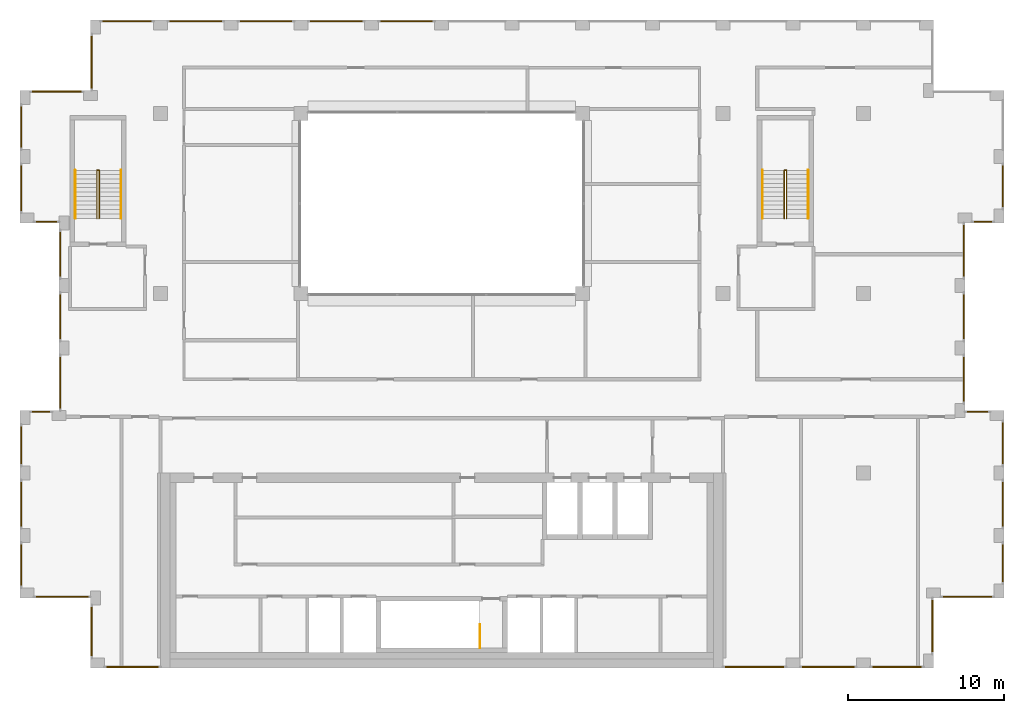
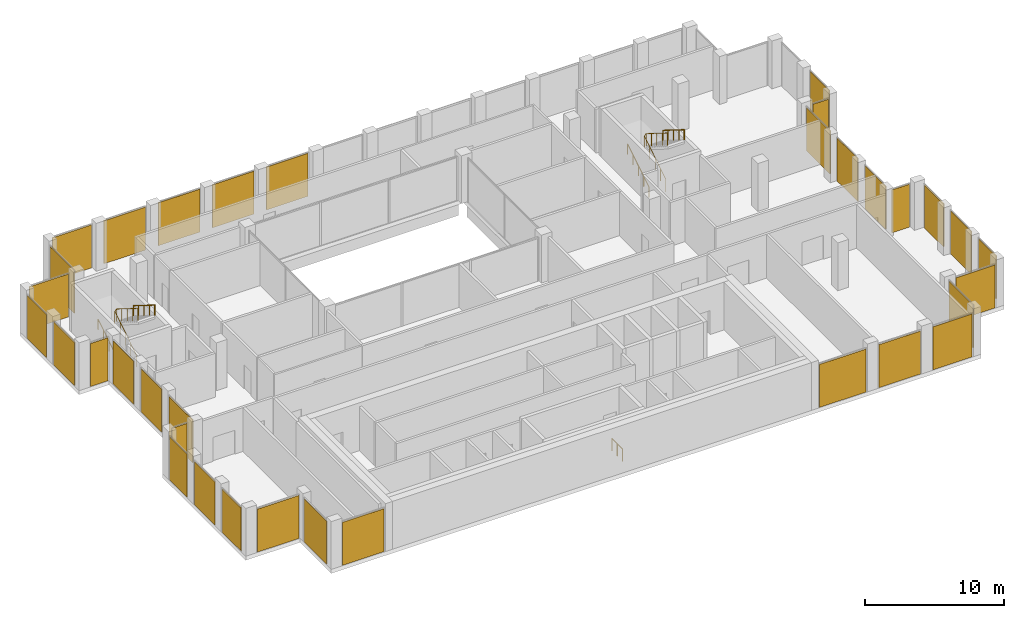
# One storey, part 14 of 15: 34 shading devices, 7 railings, 34 elements without a shape of their own.
"""IFC4 building model written with IfcOpenShell, lengths in metres."""

from ifc_helpers import new_model, si_unit, direction, frame, origin, origin_2d, place, context, subcontext, project, spatial, rectangle, circle, extrude, material, layer, layer_set, type_object, element, aggregate, save


model = new_model("IFC4")

# Units and contexts
model_context = context("Model", 3, precision=1e-05, world=origin(), true_north=direction((0.0, 1.0)))
body_context = subcontext(model_context, "Body", "Model", "MODEL_VIEW")
ifc_project = project(units=[si_unit("LENGTHUNIT", "METRE"), si_unit("AREAUNIT", "SQUARE_METRE"), si_unit("VOLUMEUNIT", "CUBIC_METRE"), si_unit("PLANEANGLEUNIT", "RADIAN"), si_unit("MASSUNIT", "GRAM", prefix="KILO")], contexts=[model_context])

# Site, building, storey
site_placement = place(None, origin())
site = spatial("IfcSite", under=ifc_project, at=site_placement, CompositionType="ELEMENT")
building_placement = place(site_placement, origin())
building = spatial("IfcBuilding", under=site, at=building_placement, Name="Brigalow Station Residences", CompositionType="ELEMENT")
storey_placement = place(building_placement, frame((0.0, 0.0, 240.0)))
storey = spatial("IfcBuildingStorey", under=building, at=storey_placement, Name="L69", CompositionType="ELEMENT", Elevation=240.0)

# Curtain wall, shading device
ifc_material_1 = material(Name="Aluminium", Category="aluminium")
ifc_layer_1 = layer(ifc_material_1, 0.14990234375)
ifc_layer_set_1 = layer_set([ifc_layer_1], Name="CROWN CURTAIN WALL")
curtain_wall_type = type_object("IfcCurtainWallType", Name="CROWN CURTAIN WALL", PredefinedType="NOTDEFINED", material=ifc_layer_set_1)
curtain_wall_1_placement = place(storey_placement, origin())
curtain_wall_1 = element("IfcCurtainWall", 1, at=curtain_wall_1_placement, inside=storey, type_object=curtain_wall_type, Name="L69/cw/crown-W-L69-1-1", PredefinedType="NOTDEFINED")
ifc_material_2 = material(Name="Aluminium louvre blade", Category="aluminium")
ifc_layer_2 = layer(ifc_material_2, 0.074951171875)
ifc_layer_set_2 = layer_set([ifc_layer_2], Name="CROWN LOUVRE BAND 75")
shading_device_type = type_object("IfcShadingDeviceType", Name="CROWN LOUVRE BAND 75", PredefinedType="JALOUSIE", material=ifc_layer_set_2)
shading_device_1_placement = place(storey_placement, frame((16.199951171875, 0.074951171875, 0.0), z_axis=(0.0, 0.0, 1.0), x_axis=(1.0, 0.0, 0.0)))
shading_device_1 = element("IfcShadingDevice", 2, at=shading_device_1_placement, type_object=shading_device_type, Name="LOUVRE BAND crown-W-L69-1-1", PredefinedType="JALOUSIE", context=body_context, shape_type="SweptSolid", body=[
    extrude(rectangle(XDim=3.449951171875, YDim=0.074951171875, at=origin_2d()), origin(), (0.0, 0.0, 1.0), 3.77490234375),
])
aggregate(curtain_wall_1, [shading_device_1])

curtain_wall_2_placement = place(storey_placement, origin())
curtain_wall_2 = element("IfcCurtainWall", 3, at=curtain_wall_2_placement, inside=storey, type_object=curtain_wall_type, Name="L69/cw/crown-W-L69-3-2", PredefinedType="NOTDEFINED")
shading_device_2_placement = place(storey_placement, frame((56.02490234375, 0.074951171875, 0.0), z_axis=(0.0, 0.0, 1.0), x_axis=(1.0, 0.0, 0.0)))
shading_device_2 = element("IfcShadingDevice", 4, at=shading_device_2_placement, type_object=shading_device_type, Name="LOUVRE BAND crown-W-L69-3-2", PredefinedType="JALOUSIE", context=body_context, shape_type="SweptSolid", body=[
    extrude(rectangle(XDim=3.89990234375, YDim=0.074951171875, at=origin_2d()), origin(), (0.0, 0.0, 1.0), 3.77490234375),
])
aggregate(curtain_wall_2, [shading_device_2])

curtain_wall_3_placement = place(storey_placement, origin())
curtain_wall_3 = element("IfcCurtainWall", 5, at=curtain_wall_3_placement, inside=storey, type_object=curtain_wall_type, Name="L69/cw/crown-W-L69-3-3", PredefinedType="NOTDEFINED")
shading_device_3_placement = place(storey_placement, frame((60.75, 0.074951171875, 0.0), z_axis=(0.0, 0.0, 1.0), x_axis=(1.0, 0.0, 0.0)))
shading_device_3 = element("IfcShadingDevice", 6, at=shading_device_3_placement, type_object=shading_device_type, Name="LOUVRE BAND crown-W-L69-3-3", PredefinedType="JALOUSIE", context=body_context, shape_type="SweptSolid", body=[
    extrude(rectangle(XDim=3.449951171875, YDim=0.074951171875, at=origin_2d()), origin(), (0.0, 0.0, 1.0), 3.77490234375),
])
aggregate(curtain_wall_3, [shading_device_3])

curtain_wall_4_placement = place(storey_placement, origin())
curtain_wall_4 = element("IfcCurtainWall", 7, at=curtain_wall_4_placement, inside=storey, type_object=curtain_wall_type, Name="L69/cw/crown-W-L69-3-4", PredefinedType="NOTDEFINED")
shading_device_4_placement = place(storey_placement, frame((65.14990234375, 0.074951171875, 0.0), z_axis=(0.0, 0.0, 1.0), x_axis=(1.0, 0.0, 0.0)))
shading_device_4 = element("IfcShadingDevice", 8, at=shading_device_4_placement, type_object=shading_device_type, Name="LOUVRE BAND crown-W-L69-3-4", PredefinedType="JALOUSIE", context=body_context, shape_type="SweptSolid", body=[
    extrude(rectangle(XDim=3.25, YDim=0.074951171875, at=origin_2d()), origin(), (0.0, 0.0, 1.0), 3.77490234375),
])
aggregate(curtain_wall_4, [shading_device_4])

curtain_wall_5_placement = place(storey_placement, origin())
curtain_wall_5 = element("IfcCurtainWall", 9, at=curtain_wall_5_placement, inside=storey, type_object=curtain_wall_type, Name="L69/cw/crown-W-L69-6-5", PredefinedType="NOTDEFINED")
shading_device_5_placement = place(storey_placement, frame((67.425048828125, 2.699951171875, 0.0), z_axis=(0.0, 0.0, 1.0), x_axis=(0.0, 1.0, 0.0)))
shading_device_5 = element("IfcShadingDevice", 10, at=shading_device_5_placement, type_object=shading_device_type, Name="LOUVRE BAND crown-W-L69-6-5", PredefinedType="JALOUSIE", context=body_context, shape_type="SweptSolid", body=[
    extrude(rectangle(XDim=3.449951171875, YDim=0.074951171875, at=origin_2d()), origin(), (0.0, 0.0, 1.0), 3.77490234375),
])
aggregate(curtain_wall_5, [shading_device_5])

curtain_wall_6_placement = place(storey_placement, origin())
curtain_wall_6 = element("IfcCurtainWall", 11, at=curtain_wall_6_placement, inside=storey, type_object=curtain_wall_type, Name="L69/cw/crown-W-L69-7-6", PredefinedType="NOTDEFINED")
shading_device_6_placement = place(storey_placement, frame((69.64990234375, 4.574951171875, 0.0), z_axis=(0.0, 0.0, 1.0), x_axis=(1.0, 0.0, 0.0)))
shading_device_6 = element("IfcShadingDevice", 12, at=shading_device_6_placement, type_object=shading_device_type, Name="LOUVRE BAND crown-W-L69-7-6", PredefinedType="JALOUSIE", context=body_context, shape_type="SweptSolid", body=[
    extrude(rectangle(XDim=3.25, YDim=0.074951171875, at=origin_2d()), origin(), (0.0, 0.0, 1.0), 3.77490234375),
])
aggregate(curtain_wall_6, [shading_device_6])

curtain_wall_7_placement = place(storey_placement, origin())
curtain_wall_7 = element("IfcCurtainWall", 13, at=curtain_wall_7_placement, inside=storey, type_object=curtain_wall_type, Name="L69/cw/crown-W-L69-8-7", PredefinedType="NOTDEFINED")
shading_device_7_placement = place(storey_placement, frame((71.925048828125, 6.72509765625, 0.0), z_axis=(0.0, 0.0, 1.0), x_axis=(0.0, 1.0, 0.0)))
shading_device_7 = element("IfcShadingDevice", 14, at=shading_device_7_placement, type_object=shading_device_type, Name="LOUVRE BAND crown-W-L69-8-7", PredefinedType="JALOUSIE", context=body_context, shape_type="SweptSolid", body=[
    extrude(rectangle(XDim=2.5, YDim=0.074951171875, at=origin_2d()), origin(), (0.0, 0.0, 1.0), 3.77490234375),
])
aggregate(curtain_wall_7, [shading_device_7])

curtain_wall_8_placement = place(storey_placement, origin())
curtain_wall_8 = element("IfcCurtainWall", 15, at=curtain_wall_8_placement, inside=storey, type_object=curtain_wall_type, Name="L69/cw/crown-W-L69-8-8", PredefinedType="NOTDEFINED")
shading_device_8_placement = place(storey_placement, frame((71.925048828125, 10.5, 0.0), z_axis=(0.0, 0.0, 1.0), x_axis=(0.0, 1.0, 0.0)))
shading_device_8 = element("IfcShadingDevice", 16, at=shading_device_8_placement, type_object=shading_device_type, Name="LOUVRE BAND crown-W-L69-8-8", PredefinedType="JALOUSIE", context=body_context, shape_type="SweptSolid", body=[
    extrude(rectangle(XDim=2.949951171875, YDim=0.074951171875, at=origin_2d()), origin(), (0.0, 0.0, 1.0), 3.77490234375),
])
aggregate(curtain_wall_8, [shading_device_8])

curtain_wall_9_placement = place(storey_placement, origin())
curtain_wall_9 = element("IfcCurtainWall", 17, at=curtain_wall_9_placement, inside=storey, type_object=curtain_wall_type, Name="L69/cw/crown-W-L69-8-9", PredefinedType="NOTDEFINED")
shading_device_9_placement = place(storey_placement, frame((71.925048828125, 14.39990234375, 0.0), z_axis=(0.0, 0.0, 1.0), x_axis=(0.0, 1.0, 0.0)))
shading_device_9 = element("IfcShadingDevice", 18, at=shading_device_9_placement, type_object=shading_device_type, Name="LOUVRE BAND crown-W-L69-8-9", PredefinedType="JALOUSIE", context=body_context, shape_type="SweptSolid", body=[
    extrude(rectangle(XDim=2.75, YDim=0.074951171875, at=origin_2d()), origin(), (0.0, 0.0, 1.0), 3.77490234375),
])
aggregate(curtain_wall_9, [shading_device_9])

curtain_wall_10_placement = place(storey_placement, origin())
curtain_wall_10 = element("IfcCurtainWall", 19, at=curtain_wall_10_placement, inside=storey, type_object=curtain_wall_type, Name="L69/cw/crown-W-L69-11-10", PredefinedType="NOTDEFINED")
shading_device_10_placement = place(storey_placement, frame((70.300048828125, 16.425048828125, 0.0), z_axis=(0.0, 0.0, 1.0), x_axis=(-1.0, 0.0, 0.0)))
shading_device_10 = element("IfcShadingDevice", 20, at=shading_device_10_placement, type_object=shading_device_type, Name="LOUVRE BAND crown-W-L69-11-10", PredefinedType="JALOUSIE", context=body_context, shape_type="SweptSolid", body=[
    extrude(rectangle(XDim=1.449951171875, YDim=0.074951171875, at=origin_2d()), origin(), (0.0, 0.0, 1.0), 3.77490234375),
])
aggregate(curtain_wall_10, [shading_device_10])

curtain_wall_11_placement = place(storey_placement, origin())
curtain_wall_11 = element("IfcCurtainWall", 21, at=curtain_wall_11_placement, inside=storey, type_object=curtain_wall_type, Name="L69/cw/crown-W-L69-12-11", PredefinedType="NOTDEFINED")
shading_device_11_placement = place(storey_placement, frame((69.425048828125, 18.5, 0.0), z_axis=(0.0, 0.0, 1.0), x_axis=(0.0, 1.0, 0.0)))
shading_device_11 = element("IfcShadingDevice", 22, at=shading_device_11_placement, type_object=shading_device_type, Name="LOUVRE BAND crown-W-L69-12-11", PredefinedType="JALOUSIE", context=body_context, shape_type="SweptSolid", body=[
    extrude(rectangle(XDim=2.949951171875, YDim=0.074951171875, at=origin_2d()), origin(), (0.0, 0.0, 1.0), 3.77490234375),
])
aggregate(curtain_wall_11, [shading_device_11])

curtain_wall_12_placement = place(storey_placement, origin())
curtain_wall_12 = element("IfcCurtainWall", 23, at=curtain_wall_12_placement, inside=storey, type_object=curtain_wall_type, Name="L69/cw/crown-W-L69-12-12", PredefinedType="NOTDEFINED")
shading_device_12_placement = place(storey_placement, frame((69.425048828125, 22.5, 0.0), z_axis=(0.0, 0.0, 1.0), x_axis=(0.0, 1.0, 0.0)))
shading_device_12 = element("IfcShadingDevice", 24, at=shading_device_12_placement, type_object=shading_device_type, Name="LOUVRE BAND crown-W-L69-12-12", PredefinedType="JALOUSIE", context=body_context, shape_type="SweptSolid", body=[
    extrude(rectangle(XDim=2.949951171875, YDim=0.074951171875, at=origin_2d()), origin(), (0.0, 0.0, 1.0), 3.77490234375),
])
aggregate(curtain_wall_12, [shading_device_12])

curtain_wall_13_placement = place(storey_placement, origin())
curtain_wall_13 = element("IfcCurtainWall", 25, at=curtain_wall_13_placement, inside=storey, type_object=curtain_wall_type, Name="L69/cw/crown-W-L69-12-13", PredefinedType="NOTDEFINED")
shading_device_13_placement = place(storey_placement, frame((69.425048828125, 26.72509765625, 0.0), z_axis=(0.0, 0.0, 1.0), x_axis=(0.0, 1.0, 0.0)))
shading_device_13 = element("IfcShadingDevice", 26, at=shading_device_13_placement, type_object=shading_device_type, Name="LOUVRE BAND crown-W-L69-12-13", PredefinedType="JALOUSIE", context=body_context, shape_type="SweptSolid", body=[
    extrude(rectangle(XDim=3.39990234375, YDim=0.074951171875, at=origin_2d()), origin(), (0.0, 0.0, 1.0), 3.77490234375),
])
aggregate(curtain_wall_13, [shading_device_13])

curtain_wall_14_placement = place(storey_placement, origin())
curtain_wall_14 = element("IfcCurtainWall", 27, at=curtain_wall_14_placement, inside=storey, type_object=curtain_wall_type, Name="L69/cw/crown-W-L69-15-14", PredefinedType="NOTDEFINED")
shading_device_14_placement = place(storey_placement, frame((70.64990234375, 28.574951171875, 0.0), z_axis=(0.0, 0.0, 1.0), x_axis=(1.0, 0.0, 0.0)))
shading_device_14 = element("IfcShadingDevice", 28, at=shading_device_14_placement, type_object=shading_device_type, Name="LOUVRE BAND crown-W-L69-15-14", PredefinedType="JALOUSIE", context=body_context, shape_type="SweptSolid", body=[
    extrude(rectangle(XDim=1.25, YDim=0.074951171875, at=origin_2d()), origin(), (0.0, 0.0, 1.0), 3.77490234375),
])
aggregate(curtain_wall_14, [shading_device_14])

curtain_wall_15_placement = place(storey_placement, origin())
curtain_wall_15 = element("IfcCurtainWall", 29, at=curtain_wall_15_placement, inside=storey, type_object=curtain_wall_type, Name="L69/cw/crown-W-L69-16-15", PredefinedType="NOTDEFINED")
shading_device_15_placement = place(storey_placement, frame((71.925048828125, 30.85009765625, 0.0), z_axis=(0.0, 0.0, 1.0), x_axis=(0.0, 1.0, 0.0)))
shading_device_15 = element("IfcShadingDevice", 30, at=shading_device_15_placement, type_object=shading_device_type, Name="LOUVRE BAND crown-W-L69-16-15", PredefinedType="JALOUSIE", context=body_context, shape_type="SweptSolid", body=[
    extrude(rectangle(XDim=2.75, YDim=0.074951171875, at=origin_2d()), origin(), (0.0, 0.0, 1.0), 3.77490234375),
])
aggregate(curtain_wall_15, [shading_device_15])

curtain_wall_16_placement = place(storey_placement, origin())
curtain_wall_16 = element("IfcCurtainWall", 31, at=curtain_wall_16_placement, inside=storey, type_object=curtain_wall_type, Name="L69/cw/crown-W-L69-20-26", PredefinedType="NOTDEFINED")
shading_device_16_placement = place(storey_placement, frame((33.75, 41.425048828125, 0.0), z_axis=(0.0, 0.0, 1.0), x_axis=(-1.0, 0.0, 0.0)))
shading_device_16 = element("IfcShadingDevice", 32, at=shading_device_16_placement, type_object=shading_device_type, Name="LOUVRE BAND crown-W-L69-20-26", PredefinedType="JALOUSIE", context=body_context, shape_type="SweptSolid", body=[
    extrude(rectangle(XDim=3.449951171875, YDim=0.074951171875, at=origin_2d()), origin(), (0.0, 0.0, 1.0), 3.77490234375),
])
aggregate(curtain_wall_16, [shading_device_16])

curtain_wall_17_placement = place(storey_placement, origin())
curtain_wall_17 = element("IfcCurtainWall", 33, at=curtain_wall_17_placement, inside=storey, type_object=curtain_wall_type, Name="L69/cw/crown-W-L69-20-27", PredefinedType="NOTDEFINED")
shading_device_17_placement = place(storey_placement, frame((29.25, 41.425048828125, 0.0), z_axis=(0.0, 0.0, 1.0), x_axis=(-1.0, 0.0, 0.0)))
shading_device_17 = element("IfcShadingDevice", 34, at=shading_device_17_placement, type_object=shading_device_type, Name="LOUVRE BAND crown-W-L69-20-27", PredefinedType="JALOUSIE", context=body_context, shape_type="SweptSolid", body=[
    extrude(rectangle(XDim=3.449951171875, YDim=0.074951171875, at=origin_2d()), origin(), (0.0, 0.0, 1.0), 3.77490234375),
])
aggregate(curtain_wall_17, [shading_device_17])

curtain_wall_18_placement = place(storey_placement, origin())
curtain_wall_18 = element("IfcCurtainWall", 35, at=curtain_wall_18_placement, inside=storey, type_object=curtain_wall_type, Name="L69/cw/crown-W-L69-20-28", PredefinedType="NOTDEFINED")
shading_device_18_placement = place(storey_placement, frame((24.75, 41.425048828125, 0.0), z_axis=(0.0, 0.0, 1.0), x_axis=(-1.0, 0.0, 0.0)))
shading_device_18 = element("IfcShadingDevice", 36, at=shading_device_18_placement, type_object=shading_device_type, Name="LOUVRE BAND crown-W-L69-20-28", PredefinedType="JALOUSIE", context=body_context, shape_type="SweptSolid", body=[
    extrude(rectangle(XDim=3.449951171875, YDim=0.074951171875, at=origin_2d()), origin(), (0.0, 0.0, 1.0), 3.77490234375),
])
aggregate(curtain_wall_18, [shading_device_18])

curtain_wall_19_placement = place(storey_placement, origin())
curtain_wall_19 = element("IfcCurtainWall", 37, at=curtain_wall_19_placement, inside=storey, type_object=curtain_wall_type, Name="L69/cw/crown-W-L69-20-29", PredefinedType="NOTDEFINED")
shading_device_19_placement = place(storey_placement, frame((20.25, 41.425048828125, 0.0), z_axis=(0.0, 0.0, 1.0), x_axis=(-1.0, 0.0, 0.0)))
shading_device_19 = element("IfcShadingDevice", 38, at=shading_device_19_placement, type_object=shading_device_type, Name="LOUVRE BAND crown-W-L69-20-29", PredefinedType="JALOUSIE", context=body_context, shape_type="SweptSolid", body=[
    extrude(rectangle(XDim=3.449951171875, YDim=0.074951171875, at=origin_2d()), origin(), (0.0, 0.0, 1.0), 3.77490234375),
])
aggregate(curtain_wall_19, [shading_device_19])

curtain_wall_20_placement = place(storey_placement, origin())
curtain_wall_20 = element("IfcCurtainWall", 39, at=curtain_wall_20_placement, inside=storey, type_object=curtain_wall_type, Name="L69/cw/crown-W-L69-20-30", PredefinedType="NOTDEFINED")
shading_device_20_placement = place(storey_placement, frame((15.85009765625, 41.425048828125, 0.0), z_axis=(0.0, 0.0, 1.0), x_axis=(-1.0, 0.0, 0.0)))
shading_device_20 = element("IfcShadingDevice", 40, at=shading_device_20_placement, type_object=shading_device_type, Name="LOUVRE BAND crown-W-L69-20-30", PredefinedType="JALOUSIE", context=body_context, shape_type="SweptSolid", body=[
    extrude(rectangle(XDim=3.25, YDim=0.074951171875, at=origin_2d()), origin(), (0.0, 0.0, 1.0), 3.77490234375),
])
aggregate(curtain_wall_20, [shading_device_20])

curtain_wall_21_placement = place(storey_placement, origin())
curtain_wall_21 = element("IfcCurtainWall", 41, at=curtain_wall_21_placement, inside=storey, type_object=curtain_wall_type, Name="L69/cw/crown-W-L69-32-31", PredefinedType="NOTDEFINED")
shading_device_21_placement = place(storey_placement, frame((13.574951171875, 38.800048828125, 0.0), z_axis=(0.0, 0.0, 1.0), x_axis=(0.0, -1.0, 0.0)))
shading_device_21 = element("IfcShadingDevice", 42, at=shading_device_21_placement, type_object=shading_device_type, Name="LOUVRE BAND crown-W-L69-32-31", PredefinedType="JALOUSIE", context=body_context, shape_type="SweptSolid", body=[
    extrude(rectangle(XDim=3.449951171875, YDim=0.074951171875, at=origin_2d()), origin(), (0.0, 0.0, 1.0), 3.77490234375),
])
aggregate(curtain_wall_21, [shading_device_21])

curtain_wall_22_placement = place(storey_placement, origin())
curtain_wall_22 = element("IfcCurtainWall", 43, at=curtain_wall_22_placement, inside=storey, type_object=curtain_wall_type, Name="L69/cw/crown-W-L69-33-32", PredefinedType="NOTDEFINED")
shading_device_22_placement = place(storey_placement, frame((11.35009765625, 36.925048828125, 0.0), z_axis=(0.0, 0.0, 1.0), x_axis=(-1.0, 0.0, 0.0)))
shading_device_22 = element("IfcShadingDevice", 44, at=shading_device_22_placement, type_object=shading_device_type, Name="LOUVRE BAND crown-W-L69-33-32", PredefinedType="JALOUSIE", context=body_context, shape_type="SweptSolid", body=[
    extrude(rectangle(XDim=3.25, YDim=0.074951171875, at=origin_2d()), origin(), (0.0, 0.0, 1.0), 3.77490234375),
])
aggregate(curtain_wall_22, [shading_device_22])

curtain_wall_23_placement = place(storey_placement, origin())
curtain_wall_23 = element("IfcCurtainWall", 45, at=curtain_wall_23_placement, inside=storey, type_object=curtain_wall_type, Name="L69/cw/crown-W-L69-34-33", PredefinedType="NOTDEFINED")
shading_device_23_placement = place(storey_placement, frame((9.074951171875, 34.64990234375, 0.0), z_axis=(0.0, 0.0, 1.0), x_axis=(0.0, -1.0, 0.0)))
shading_device_23 = element("IfcShadingDevice", 46, at=shading_device_23_placement, type_object=shading_device_type, Name="LOUVRE BAND crown-W-L69-34-33", PredefinedType="JALOUSIE", context=body_context, shape_type="SweptSolid", body=[
    extrude(rectangle(XDim=2.75, YDim=0.074951171875, at=origin_2d()), origin(), (0.0, 0.0, 1.0), 3.77490234375),
])
aggregate(curtain_wall_23, [shading_device_23])

curtain_wall_24_placement = place(storey_placement, origin())
curtain_wall_24 = element("IfcCurtainWall", 47, at=curtain_wall_24_placement, inside=storey, type_object=curtain_wall_type, Name="L69/cw/crown-W-L69-34-34", PredefinedType="NOTDEFINED")
shading_device_24_placement = place(storey_placement, frame((9.074951171875, 30.72509765625, 0.0), z_axis=(0.0, 0.0, 1.0), x_axis=(0.0, -1.0, 0.0)))
shading_device_24 = element("IfcShadingDevice", 48, at=shading_device_24_placement, type_object=shading_device_type, Name="LOUVRE BAND crown-W-L69-34-34", PredefinedType="JALOUSIE", context=body_context, shape_type="SweptSolid", body=[
    extrude(rectangle(XDim=3.0, YDim=0.074951171875, at=origin_2d()), origin(), (0.0, 0.0, 1.0), 3.77490234375),
])
aggregate(curtain_wall_24, [shading_device_24])

curtain_wall_25_placement = place(storey_placement, origin())
curtain_wall_25 = element("IfcCurtainWall", 49, at=curtain_wall_25_placement, inside=storey, type_object=curtain_wall_type, Name="L69/cw/crown-W-L69-36-35", PredefinedType="NOTDEFINED")
shading_device_25_placement = place(storey_placement, frame((10.699951171875, 28.574951171875, 0.0), z_axis=(0.0, 0.0, 1.0), x_axis=(1.0, 0.0, 0.0)))
shading_device_25 = element("IfcShadingDevice", 50, at=shading_device_25_placement, type_object=shading_device_type, Name="LOUVRE BAND crown-W-L69-36-35", PredefinedType="JALOUSIE", context=body_context, shape_type="SweptSolid", body=[
    extrude(rectangle(XDim=1.449951171875, YDim=0.074951171875, at=origin_2d()), origin(), (0.0, 0.0, 1.0), 3.77490234375),
])
aggregate(curtain_wall_25, [shading_device_25])

curtain_wall_26_placement = place(storey_placement, origin())
curtain_wall_26 = element("IfcCurtainWall", 51, at=curtain_wall_26_placement, inside=storey, type_object=curtain_wall_type, Name="L69/cw/crown-W-L69-37-36", PredefinedType="NOTDEFINED")
shading_device_26_placement = place(storey_placement, frame((11.574951171875, 26.5, 0.0), z_axis=(0.0, 0.0, 1.0), x_axis=(0.0, -1.0, 0.0)))
shading_device_26 = element("IfcShadingDevice", 52, at=shading_device_26_placement, type_object=shading_device_type, Name="LOUVRE BAND crown-W-L69-37-36", PredefinedType="JALOUSIE", context=body_context, shape_type="SweptSolid", body=[
    extrude(rectangle(XDim=2.949951171875, YDim=0.074951171875, at=origin_2d()), origin(), (0.0, 0.0, 1.0), 3.77490234375),
])
aggregate(curtain_wall_26, [shading_device_26])

curtain_wall_27_placement = place(storey_placement, origin())
curtain_wall_27 = element("IfcCurtainWall", 53, at=curtain_wall_27_placement, inside=storey, type_object=curtain_wall_type, Name="L69/cw/crown-W-L69-37-37", PredefinedType="NOTDEFINED")
shading_device_27_placement = place(storey_placement, frame((11.574951171875, 22.5, 0.0), z_axis=(0.0, 0.0, 1.0), x_axis=(0.0, -1.0, 0.0)))
shading_device_27 = element("IfcShadingDevice", 54, at=shading_device_27_placement, type_object=shading_device_type, Name="LOUVRE BAND crown-W-L69-37-37", PredefinedType="JALOUSIE", context=body_context, shape_type="SweptSolid", body=[
    extrude(rectangle(XDim=2.949951171875, YDim=0.074951171875, at=origin_2d()), origin(), (0.0, 0.0, 1.0), 3.77490234375),
])
aggregate(curtain_wall_27, [shading_device_27])

curtain_wall_28_placement = place(storey_placement, origin())
curtain_wall_28 = element("IfcCurtainWall", 55, at=curtain_wall_28_placement, inside=storey, type_object=curtain_wall_type, Name="L69/cw/crown-W-L69-37-38", PredefinedType="NOTDEFINED")
shading_device_28_placement = place(storey_placement, frame((11.574951171875, 18.27490234375, 0.0), z_axis=(0.0, 0.0, 1.0), x_axis=(0.0, -1.0, 0.0)))
shading_device_28 = element("IfcShadingDevice", 56, at=shading_device_28_placement, type_object=shading_device_type, Name="LOUVRE BAND crown-W-L69-37-38", PredefinedType="JALOUSIE", context=body_context, shape_type="SweptSolid", body=[
    extrude(rectangle(XDim=3.39990234375, YDim=0.074951171875, at=origin_2d()), origin(), (0.0, 0.0, 1.0), 3.77490234375),
])
aggregate(curtain_wall_28, [shading_device_28])

curtain_wall_29_placement = place(storey_placement, origin())
curtain_wall_29 = element("IfcCurtainWall", 57, at=curtain_wall_29_placement, inside=storey, type_object=curtain_wall_type, Name="L69/cw/crown-W-L69-40-39", PredefinedType="NOTDEFINED")
shading_device_29_placement = place(storey_placement, frame((10.35009765625, 16.425048828125, 0.0), z_axis=(0.0, 0.0, 1.0), x_axis=(-1.0, 0.0, 0.0)))
shading_device_29 = element("IfcShadingDevice", 58, at=shading_device_29_placement, type_object=shading_device_type, Name="LOUVRE BAND crown-W-L69-40-39", PredefinedType="JALOUSIE", context=body_context, shape_type="SweptSolid", body=[
    extrude(rectangle(XDim=1.25, YDim=0.074951171875, at=origin_2d()), origin(), (0.0, 0.0, 1.0), 3.77490234375),
])
aggregate(curtain_wall_29, [shading_device_29])

curtain_wall_30_placement = place(storey_placement, origin())
curtain_wall_30 = element("IfcCurtainWall", 59, at=curtain_wall_30_placement, inside=storey, type_object=curtain_wall_type, Name="L69/cw/crown-W-L69-41-40", PredefinedType="NOTDEFINED")
shading_device_30_placement = place(storey_placement, frame((9.074951171875, 14.27490234375, 0.0), z_axis=(0.0, 0.0, 1.0), x_axis=(0.0, -1.0, 0.0)))
shading_device_30 = element("IfcShadingDevice", 60, at=shading_device_30_placement, type_object=shading_device_type, Name="LOUVRE BAND crown-W-L69-41-40", PredefinedType="JALOUSIE", context=body_context, shape_type="SweptSolid", body=[
    extrude(rectangle(XDim=2.5, YDim=0.074951171875, at=origin_2d()), origin(), (0.0, 0.0, 1.0), 3.77490234375),
])
aggregate(curtain_wall_30, [shading_device_30])

curtain_wall_31_placement = place(storey_placement, origin())
curtain_wall_31 = element("IfcCurtainWall", 61, at=curtain_wall_31_placement, inside=storey, type_object=curtain_wall_type, Name="L69/cw/crown-W-L69-41-41", PredefinedType="NOTDEFINED")
shading_device_31_placement = place(storey_placement, frame((9.074951171875, 10.5, 0.0), z_axis=(0.0, 0.0, 1.0), x_axis=(0.0, -1.0, 0.0)))
shading_device_31 = element("IfcShadingDevice", 62, at=shading_device_31_placement, type_object=shading_device_type, Name="LOUVRE BAND crown-W-L69-41-41", PredefinedType="JALOUSIE", context=body_context, shape_type="SweptSolid", body=[
    extrude(rectangle(XDim=2.949951171875, YDim=0.074951171875, at=origin_2d()), origin(), (0.0, 0.0, 1.0), 3.77490234375),
])
aggregate(curtain_wall_31, [shading_device_31])

curtain_wall_32_placement = place(storey_placement, origin())
curtain_wall_32 = element("IfcCurtainWall", 63, at=curtain_wall_32_placement, inside=storey, type_object=curtain_wall_type, Name="L69/cw/crown-W-L69-41-42", PredefinedType="NOTDEFINED")
shading_device_32_placement = place(storey_placement, frame((9.074951171875, 6.60009765625, 0.0), z_axis=(0.0, 0.0, 1.0), x_axis=(0.0, -1.0, 0.0)))
shading_device_32 = element("IfcShadingDevice", 64, at=shading_device_32_placement, type_object=shading_device_type, Name="LOUVRE BAND crown-W-L69-41-42", PredefinedType="JALOUSIE", context=body_context, shape_type="SweptSolid", body=[
    extrude(rectangle(XDim=2.75, YDim=0.074951171875, at=origin_2d()), origin(), (0.0, 0.0, 1.0), 3.77490234375),
])
aggregate(curtain_wall_32, [shading_device_32])

curtain_wall_33_placement = place(storey_placement, origin())
curtain_wall_33 = element("IfcCurtainWall", 65, at=curtain_wall_33_placement, inside=storey, type_object=curtain_wall_type, Name="L69/cw/crown-W-L69-44-43", PredefinedType="NOTDEFINED")
shading_device_33_placement = place(storey_placement, frame((11.699951171875, 4.574951171875, 0.0), z_axis=(0.0, 0.0, 1.0), x_axis=(1.0, 0.0, 0.0)))
shading_device_33 = element("IfcShadingDevice", 66, at=shading_device_33_placement, type_object=shading_device_type, Name="LOUVRE BAND crown-W-L69-44-43", PredefinedType="JALOUSIE", context=body_context, shape_type="SweptSolid", body=[
    extrude(rectangle(XDim=3.449951171875, YDim=0.074951171875, at=origin_2d()), origin(), (0.0, 0.0, 1.0), 3.77490234375),
])
aggregate(curtain_wall_33, [shading_device_33])

curtain_wall_34_placement = place(storey_placement, origin())
curtain_wall_34 = element("IfcCurtainWall", 67, at=curtain_wall_34_placement, inside=storey, type_object=curtain_wall_type, Name="L69/cw/crown-W-L69-45-44", PredefinedType="NOTDEFINED")
shading_device_34_placement = place(storey_placement, frame((13.574951171875, 2.35009765625, 0.0), z_axis=(0.0, 0.0, 1.0), x_axis=(0.0, -1.0, 0.0)))
shading_device_34 = element("IfcShadingDevice", 68, at=shading_device_34_placement, type_object=shading_device_type, Name="LOUVRE BAND crown-W-L69-45-44", PredefinedType="JALOUSIE", context=body_context, shape_type="SweptSolid", body=[
    extrude(rectangle(XDim=3.25, YDim=0.074951171875, at=origin_2d()), origin(), (0.0, 0.0, 1.0), 3.77490234375),
])
aggregate(curtain_wall_34, [shading_device_34])

# Railings
ifc_material_3 = material(Name="Stainless steel balustrade", Category="steel")
railing_type_1 = type_object("IfcRailingType", Name="STAIR GUARD 1100", PredefinedType="GUARDRAIL", material=ifc_material_3)
railing_1_placement = place(storey_placement, frame((38.449951171875, 1.300048828125, 0.0)))
element("IfcRailing", 69, at=railing_1_placement, inside=storey, type_object=railing_type_1, Name="GUARD GR-2T", PredefinedType="GUARDRAIL", context=body_context, shape_type="SweptSolid", body=[
    extrude(circle(Radius=0.02392578125, at=origin_2d()), frame((0.0, 0.0, 1.076171875), z_axis=(0.0, 1.0, 0.0), x_axis=(-1.0, 0.0, 0.0)), (0.0, 0.0, 1.0), 1.5),
    extrude(circle(Radius=0.02099609375, at=origin_2d()), origin(), (0.0, 0.0, 1.0), 1.052001953125),
    extrude(circle(Radius=0.02099609375, at=origin_2d()), frame((0.0, 0.75, 0.0)), (0.0, 0.0, 1.0), 1.052001953125),
    extrude(circle(Radius=0.02099609375, at=origin_2d()), frame((0.0, 1.5, 0.0)), (0.0, 0.0, 1.0), 1.052001953125),
])
railing_2_placement = place(storey_placement, frame((13.929931640625, 28.800048828125, 0.175048828125)))
element("IfcRailing", 70, at=railing_2_placement, inside=storey, type_object=railing_type_1, Name="GUARD GR-1", PredefinedType="GUARDRAIL", context=body_context, shape_type="SweptSolid", body=[
    extrude(circle(Radius=0.02392578125, at=origin_2d()), frame((0.0, 0.0, 1.076171875), z_axis=(0.0, 0.847979421464, 0.530029150871), x_axis=(-1.0, 0.0, 0.0)), (0.0, 0.0, 1.0), 3.632080078125),
    extrude(circle(Radius=0.02392578125, at=origin_2d()), frame((0.0, 3.079833984375, 3.0009765625), z_axis=(0.62549206879, 0.0, 0.780230524833), x_axis=(0.0, 1.0, 0.0)), (0.0, 0.0, 1.0), 0.22412109375),
    extrude(circle(Radius=0.02392578125, at=origin_2d()), frame((0.14013671875, 3.079833984375, 3.17578125), z_axis=(0.0, -0.847979421464, 0.530029150871), x_axis=(1.0, 0.0, 0.0)), (0.0, 0.0, 1.0), 3.632080078125),
    extrude(circle(Radius=0.02099609375, at=origin_2d()), origin(), (0.0, 0.0, 1.0), 1.052001953125),
    extrude(circle(Radius=0.02099609375, at=origin_2d()), frame((0.0, 0.77001953125, 0.481201171875)), (0.0, 0.0, 1.0), 1.052001953125),
    extrude(circle(Radius=0.02099609375, at=origin_2d()), frame((0.0, 1.5400390625, 0.96240234375)), (0.0, 0.0, 1.0), 1.052001953125),
    extrude(circle(Radius=0.02099609375, at=origin_2d()), frame((0.0, 2.309814453125, 1.44384765625)), (0.0, 0.0, 1.0), 1.052001953125),
    extrude(circle(Radius=0.02099609375, at=origin_2d()), frame((0.0, 3.079833984375, 1.925048828125)), (0.0, 0.0, 1.0), 1.052001953125),
    extrude(circle(Radius=0.02099609375, at=origin_2d()), frame((0.14013671875, 3.079833984375, 2.099853515625)), (0.0, 0.0, 1.0), 1.052001953125),
    extrude(circle(Radius=0.02099609375, at=origin_2d()), frame((0.14013671875, 2.309814453125, 2.5810546875)), (0.0, 0.0, 1.0), 1.052001953125),
    extrude(circle(Radius=0.02099609375, at=origin_2d()), frame((0.14013671875, 1.5400390625, 3.0625)), (0.0, 0.0, 1.0), 1.052001953125),
    extrude(circle(Radius=0.02099609375, at=origin_2d()), frame((0.14013671875, 0.77001953125, 3.543701171875)), (0.0, 0.0, 1.0), 1.052001953125),
    extrude(circle(Radius=0.02099609375, at=origin_2d()), frame((0.14013671875, 0.0, 4.02490234375)), (0.0, 0.0, 1.0), 1.052001953125),
])
railing_3_placement = place(storey_placement, frame((57.929931640625, 28.800048828125, 0.175048828125)))
element("IfcRailing", 71, at=railing_3_placement, inside=storey, type_object=railing_type_1, Name="GUARD GR-3", PredefinedType="GUARDRAIL", context=body_context, shape_type="SweptSolid", body=[
    extrude(circle(Radius=0.02392578125, at=origin_2d()), frame((0.0, 0.0, 1.076171875), z_axis=(0.0, 0.847979421464, 0.530029150871), x_axis=(-1.0, 0.0, 0.0)), (0.0, 0.0, 1.0), 3.632080078125),
    extrude(circle(Radius=0.02392578125, at=origin_2d()), frame((0.0, 3.079833984375, 3.0009765625), z_axis=(0.62549206879, 0.0, 0.780230524833), x_axis=(0.0, 1.0, 0.0)), (0.0, 0.0, 1.0), 0.22412109375),
    extrude(circle(Radius=0.02392578125, at=origin_2d()), frame((0.14013671875, 3.079833984375, 3.17578125), z_axis=(0.0, -0.847979421464, 0.530029150871), x_axis=(1.0, 0.0, 0.0)), (0.0, 0.0, 1.0), 3.632080078125),
    extrude(circle(Radius=0.02099609375, at=origin_2d()), origin(), (0.0, 0.0, 1.0), 1.052001953125),
    extrude(circle(Radius=0.02099609375, at=origin_2d()), frame((0.0, 0.77001953125, 0.481201171875)), (0.0, 0.0, 1.0), 1.052001953125),
    extrude(circle(Radius=0.02099609375, at=origin_2d()), frame((0.0, 1.5400390625, 0.96240234375)), (0.0, 0.0, 1.0), 1.052001953125),
    extrude(circle(Radius=0.02099609375, at=origin_2d()), frame((0.0, 2.309814453125, 1.44384765625)), (0.0, 0.0, 1.0), 1.052001953125),
    extrude(circle(Radius=0.02099609375, at=origin_2d()), frame((0.0, 3.079833984375, 1.925048828125)), (0.0, 0.0, 1.0), 1.052001953125),
    extrude(circle(Radius=0.02099609375, at=origin_2d()), frame((0.14013671875, 3.079833984375, 2.099853515625)), (0.0, 0.0, 1.0), 1.052001953125),
    extrude(circle(Radius=0.02099609375, at=origin_2d()), frame((0.14013671875, 2.309814453125, 2.5810546875)), (0.0, 0.0, 1.0), 1.052001953125),
    extrude(circle(Radius=0.02099609375, at=origin_2d()), frame((0.14013671875, 1.5400390625, 3.0625)), (0.0, 0.0, 1.0), 1.052001953125),
    extrude(circle(Radius=0.02099609375, at=origin_2d()), frame((0.14013671875, 0.77001953125, 3.543701171875)), (0.0, 0.0, 1.0), 1.052001953125),
    extrude(circle(Radius=0.02099609375, at=origin_2d()), frame((0.14013671875, 0.0, 4.02490234375)), (0.0, 0.0, 1.0), 1.052001953125),
])
ifc_material_4 = material(Name="Stainless steel handrail", Category="steel")
railing_type_2 = type_object("IfcRailingType", Name="STAIR HANDRAIL 900", PredefinedType="HANDRAIL", material=ifc_material_4)
railing_4_placement = place(storey_placement, frame((12.5400390625, 28.800048828125, 0.175048828125)))
element("IfcRailing", 72, at=railing_4_placement, inside=storey, type_object=railing_type_2, Name="HANDRAIL HR-11", PredefinedType="HANDRAIL", context=body_context, shape_type="SweptSolid", body=[
    extrude(circle(Radius=0.02392578125, at=origin_2d()), frame((0.0, 0.0, 0.8759765625), z_axis=(0.0, 0.847979421464, 0.530029150871), x_axis=(-1.0, 0.0, 0.0)), (0.0, 0.0, 1.0), 3.632080078125),
    extrude(circle(Radius=0.02099609375, at=origin_2d()), origin(), (0.0, 0.0, 1.0), 0.851806640625),
    extrude(circle(Radius=0.02099609375, at=origin_2d()), frame((0.0, 0.77001953125, 0.481201171875)), (0.0, 0.0, 1.0), 0.851806640625),
    extrude(circle(Radius=0.02099609375, at=origin_2d()), frame((0.0, 1.5400390625, 0.96240234375)), (0.0, 0.0, 1.0), 0.851806640625),
    extrude(circle(Radius=0.02099609375, at=origin_2d()), frame((0.0, 2.309814453125, 1.44384765625)), (0.0, 0.0, 1.0), 0.851806640625),
    extrude(circle(Radius=0.02099609375, at=origin_2d()), frame((0.0, 3.079833984375, 1.925048828125)), (0.0, 0.0, 1.0), 0.851806640625),
])
railing_5_placement = place(storey_placement, frame((15.4599609375, 31.8798828125, 2.27490234375)))
element("IfcRailing", 73, at=railing_5_placement, inside=storey, type_object=railing_type_2, Name="HANDRAIL HR-12", PredefinedType="HANDRAIL", context=body_context, shape_type="SweptSolid", body=[
    extrude(circle(Radius=0.02392578125, at=origin_2d()), frame((0.0, 0.0, 0.8759765625), z_axis=(0.0, -0.847979421464, 0.530029150871), x_axis=(1.0, 0.0, 0.0)), (0.0, 0.0, 1.0), 3.632080078125),
    extrude(circle(Radius=0.02099609375, at=origin_2d()), origin(), (0.0, 0.0, 1.0), 0.851806640625),
    extrude(circle(Radius=0.02099609375, at=origin_2d()), frame((0.0, -0.77001953125, 0.481201171875)), (0.0, 0.0, 1.0), 0.851806640625),
    extrude(circle(Radius=0.02099609375, at=origin_2d()), frame((0.0, -1.5400390625, 0.96240234375)), (0.0, 0.0, 1.0), 0.851806640625),
    extrude(circle(Radius=0.02099609375, at=origin_2d()), frame((0.0, -2.309814453125, 1.44384765625)), (0.0, 0.0, 1.0), 0.851806640625),
    extrude(circle(Radius=0.02099609375, at=origin_2d()), frame((0.0, -3.079833984375, 1.925048828125)), (0.0, 0.0, 1.0), 0.851806640625),
])
railing_6_placement = place(storey_placement, frame((56.5400390625, 28.800048828125, 0.175048828125)))
element("IfcRailing", 74, at=railing_6_placement, inside=storey, type_object=railing_type_2, Name="HANDRAIL HR-31", PredefinedType="HANDRAIL", context=body_context, shape_type="SweptSolid", body=[
    extrude(circle(Radius=0.02392578125, at=origin_2d()), frame((0.0, 0.0, 0.8759765625), z_axis=(0.0, 0.847979421464, 0.530029150871), x_axis=(-1.0, 0.0, 0.0)), (0.0, 0.0, 1.0), 3.632080078125),
    extrude(circle(Radius=0.02099609375, at=origin_2d()), origin(), (0.0, 0.0, 1.0), 0.851806640625),
    extrude(circle(Radius=0.02099609375, at=origin_2d()), frame((0.0, 0.77001953125, 0.481201171875)), (0.0, 0.0, 1.0), 0.851806640625),
    extrude(circle(Radius=0.02099609375, at=origin_2d()), frame((0.0, 1.5400390625, 0.96240234375)), (0.0, 0.0, 1.0), 0.851806640625),
    extrude(circle(Radius=0.02099609375, at=origin_2d()), frame((0.0, 2.309814453125, 1.44384765625)), (0.0, 0.0, 1.0), 0.851806640625),
    extrude(circle(Radius=0.02099609375, at=origin_2d()), frame((0.0, 3.079833984375, 1.925048828125)), (0.0, 0.0, 1.0), 0.851806640625),
])
railing_7_placement = place(storey_placement, frame((59.4599609375, 31.8798828125, 2.27490234375)))
element("IfcRailing", 75, at=railing_7_placement, inside=storey, type_object=railing_type_2, Name="HANDRAIL HR-32", PredefinedType="HANDRAIL", context=body_context, shape_type="SweptSolid", body=[
    extrude(circle(Radius=0.02392578125, at=origin_2d()), frame((0.0, 0.0, 0.8759765625), z_axis=(0.0, -0.847979421464, 0.530029150871), x_axis=(1.0, 0.0, 0.0)), (0.0, 0.0, 1.0), 3.632080078125),
    extrude(circle(Radius=0.02099609375, at=origin_2d()), origin(), (0.0, 0.0, 1.0), 0.851806640625),
    extrude(circle(Radius=0.02099609375, at=origin_2d()), frame((0.0, -0.77001953125, 0.481201171875)), (0.0, 0.0, 1.0), 0.851806640625),
    extrude(circle(Radius=0.02099609375, at=origin_2d()), frame((0.0, -1.5400390625, 0.96240234375)), (0.0, 0.0, 1.0), 0.851806640625),
    extrude(circle(Radius=0.02099609375, at=origin_2d()), frame((0.0, -2.309814453125, 1.44384765625)), (0.0, 0.0, 1.0), 0.851806640625),
    extrude(circle(Radius=0.02099609375, at=origin_2d()), frame((0.0, -3.079833984375, 1.925048828125)), (0.0, 0.0, 1.0), 0.851806640625),
])

save(model, "model.ifc")
